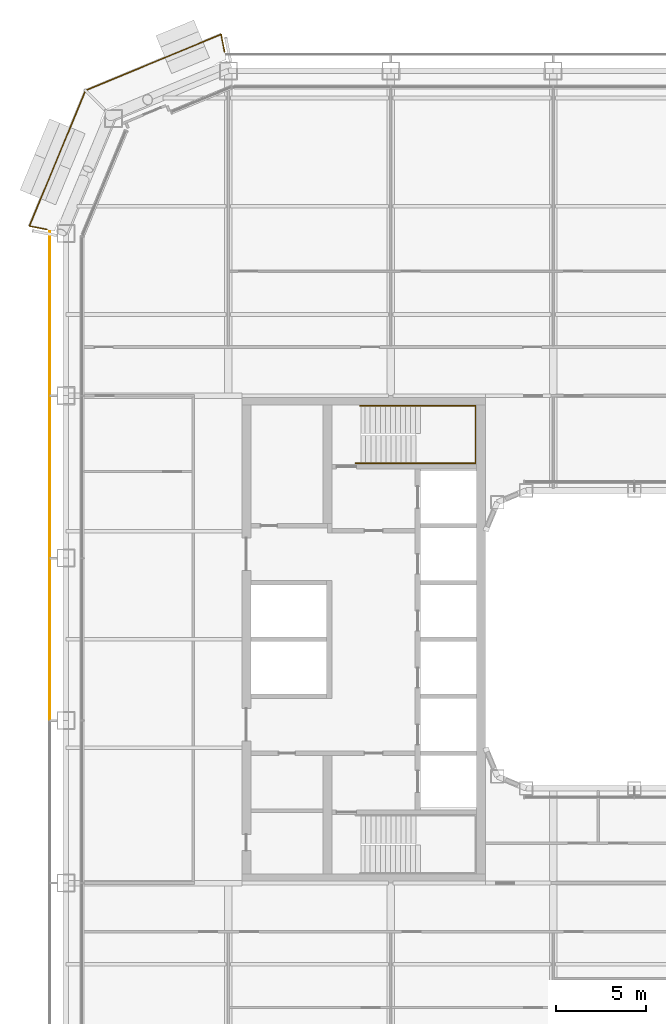
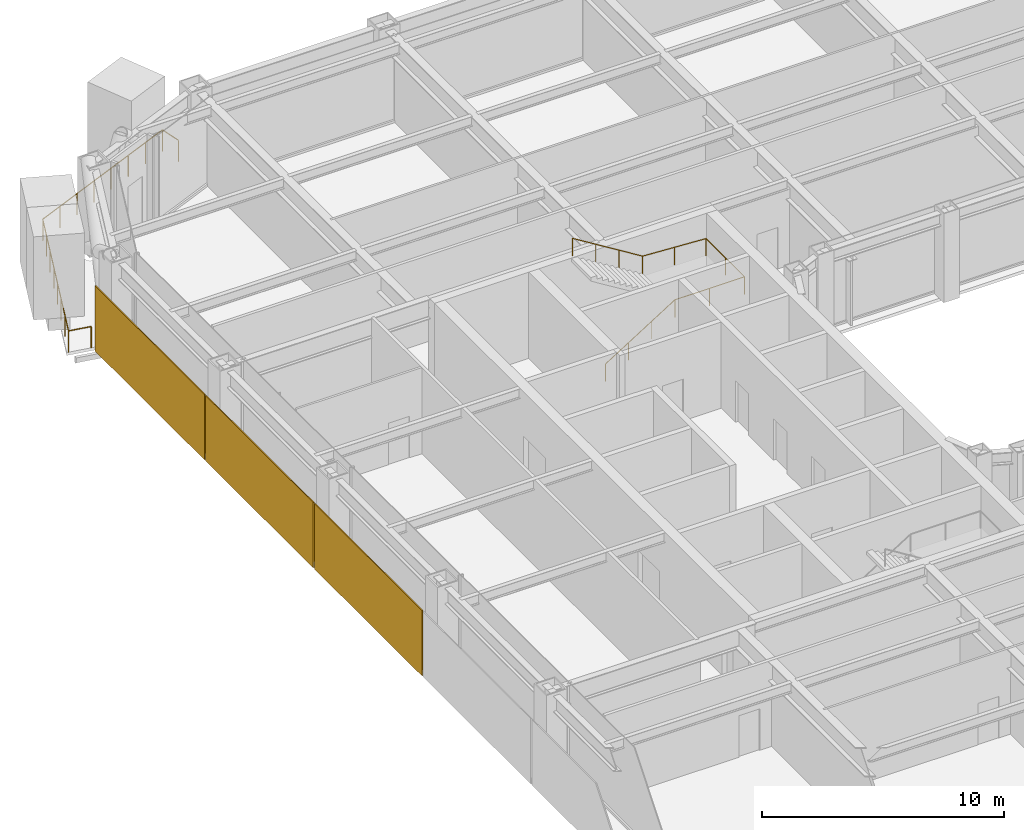
# One storey, part 26 of 29: 3 coverings, 2 railings.
"""IFC4 building model written with IfcOpenShell, lengths in metres."""

from ifc_helpers import new_model, si_unit, direction, frame, origin, origin_2d, place, context, subcontext, project, spatial, rectangle, circle, extrude, material, layer, layer_set, type_object, element, save


model = new_model("IFC4")

# Units and contexts
model_context = context("Model", 3, precision=1e-05, world=origin(), true_north=direction((0.0, 1.0)))
body_context = subcontext(model_context, "Body", "Model", "MODEL_VIEW")
ifc_project = project(units=[si_unit("LENGTHUNIT", "METRE"), si_unit("AREAUNIT", "SQUARE_METRE"), si_unit("VOLUMEUNIT", "CUBIC_METRE"), si_unit("PLANEANGLEUNIT", "RADIAN"), si_unit("MASSUNIT", "GRAM", prefix="KILO")], contexts=[model_context])

# Site, building, storey
site_placement = place(None, origin())
site = spatial("IfcSite", under=ifc_project, at=site_placement, CompositionType="ELEMENT")
building_placement = place(site_placement, origin())
building = spatial("IfcBuilding", under=site, at=building_placement, Name="Siwar Civic Tower", CompositionType="ELEMENT")
storey_placement = place(building_placement, frame((0.0, 0.0, 67.199951171875)))
storey = spatial("IfcBuildingStorey", under=building, at=storey_placement, Name="L14", CompositionType="ELEMENT", Elevation=67.199951171875)

# Railings
ifc_material_1 = material(Name="Stainless steel", Category="steel")
railing_type_1 = type_object("IfcRailingType", Name="CORE-STAIR-HANDRAIL", PredefinedType="HANDRAIL", material=ifc_material_1)
railing_1_placement = place(storey_placement, frame((-15.449951171875, 9.758056640625, 0.173095703125)))
element("IfcRailing", 1, at=railing_1_placement, inside=storey, type_object=railing_type_1, Name="Stair handrail ST1", PredefinedType="HANDRAIL", context=body_context, shape_type="SweptSolid", body=[
    extrude(circle(Radius=0.02001953125, at=origin_2d()), frame((0.0, 0.0, 0.8798828125), z_axis=(0.847063342986, 0.0, 0.531491950051), x_axis=(0.0, 1.0, 0.0)), (0.0, 0.0, 1.0), 3.90771484375),
    extrude(circle(Radius=0.02001953125, at=origin_2d()), frame((3.31005859375, 0.0, 2.956787109375), z_axis=(1.0, 0.0, 0.0), x_axis=(0.0, 1.0, 0.0)), (0.0, 0.0, 1.0), 3.331787109375),
    extrude(circle(Radius=0.02001953125, at=origin_2d()), frame((6.641845703125, 0.0, 2.956787109375), z_axis=(0.0, 1.0, 0.0), x_axis=(-1.0, 0.0, 0.0)), (0.0, 0.0, 1.0), 3.183837890625),
    extrude(circle(Radius=0.02001953125, at=origin_2d()), frame((6.641845703125, 3.183837890625, 2.956787109375), z_axis=(-0.99837434197, 0.0, 0.056997134106), x_axis=(0.0, -1.0, 0.0)), (0.0, 0.0, 1.0), 3.036865234375),
    extrude(circle(Radius=0.02001953125, at=origin_2d()), frame((3.60986328125, 3.183837890625, 3.1298828125), z_axis=(-0.850606129759, 0.0, 0.525803396734), x_axis=(0.0, -1.0, 0.0)), (0.0, 0.0, 1.0), 3.949951171875),
    extrude(circle(Radius=0.02001953125, at=origin_2d()), origin(), (0.0, 0.0, 1.0), 0.85986328125),
    extrude(circle(Radius=0.02001953125, at=origin_2d()), frame((1.103271484375, 0.0, 0.6923828125)), (0.0, 0.0, 1.0), 0.85986328125),
    extrude(circle(Radius=0.02001953125, at=origin_2d()), frame((2.206787109375, 0.0, 1.384521484375)), (0.0, 0.0, 1.0), 0.85986328125),
    extrude(circle(Radius=0.02001953125, at=origin_2d()), frame((3.31005859375, 0.0, 2.076904296875)), (0.0, 0.0, 1.0), 0.85986328125),
    extrude(circle(Radius=0.02001953125, at=origin_2d()), frame((4.97607421875, 0.0, 2.076904296875)), (0.0, 0.0, 1.0), 0.85986328125),
    extrude(circle(Radius=0.02001953125, at=origin_2d()), frame((6.641845703125, 0.0, 2.076904296875)), (0.0, 0.0, 1.0), 0.85986328125),
    extrude(circle(Radius=0.02001953125, at=origin_2d()), frame((6.641845703125, 1.591796875, 2.076904296875)), (0.0, 0.0, 1.0), 0.85986328125),
    extrude(circle(Radius=0.02001953125, at=origin_2d()), frame((6.641845703125, 3.183837890625, 2.076904296875)), (0.0, 0.0, 1.0), 0.85986328125),
    extrude(circle(Radius=0.02001953125, at=origin_2d()), frame((5.1259765625, 3.183837890625, 2.16357421875)), (0.0, 0.0, 1.0), 0.85986328125),
    extrude(circle(Radius=0.02001953125, at=origin_2d()), frame((3.60986328125, 3.183837890625, 2.25)), (0.0, 0.0, 1.0), 0.85986328125),
    extrude(circle(Radius=0.02001953125, at=origin_2d()), frame((2.489990234375, 3.183837890625, 2.9423828125)), (0.0, 0.0, 1.0), 0.85986328125),
    extrude(circle(Radius=0.02001953125, at=origin_2d()), frame((1.369873046875, 3.183837890625, 3.634521484375)), (0.0, 0.0, 1.0), 0.85986328125),
    extrude(circle(Radius=0.02001953125, at=origin_2d()), frame((0.25, 3.183837890625, 4.326904296875)), (0.0, 0.0, 1.0), 0.85986328125),
])
ifc_material_2 = material(Name="Stainless steel 316", Category="steel")
railing_type_2 = type_object("IfcRailingType", Name="ENV-GUARD", PredefinedType="GUARDRAIL", material=ifc_material_2)
railing_2_placement = place(storey_placement, frame((-22.708251953125, 32.547119140625, 0.0)))
element("IfcRailing", 2, at=railing_2_placement, inside=storey, type_object=railing_type_2, Name="Balcony guard NW", PredefinedType="GUARDRAIL", context=body_context, shape_type="SweptSolid", body=[
    extrude(circle(Radius=0.02392578125, at=origin_2d()), frame((0.0, 0.0, 1.076171875), z_axis=(-0.195123592472, 0.980778661911, 0.0), x_axis=(-0.980778661911, -0.195123592472, 0.0)), (0.0, 0.0, 1.0), 0.993408203125),
    extrude(circle(Radius=0.02392578125, at=origin_2d()), frame((-0.19384765625, 0.974365234375, 1.076171875), z_axis=(-0.924089256518, -0.382176720888, 0.0), x_axis=(0.382176720888, -0.924089256518, 0.0)), (0.0, 0.0, 1.0), 8.129638671875),
    extrude(circle(Radius=0.02392578125, at=origin_2d()), frame((-7.706298828125, -2.132568359375, 1.076171875), z_axis=(-0.382176720888, -0.924089256518, 0.0), x_axis=(0.924089256518, -0.382176720888, 0.0)), (0.0, 0.0, 1.0), 8.129638671875),
    extrude(circle(Radius=0.02392578125, at=origin_2d()), frame((-10.813232421875, -9.64501953125, 1.076171875), z_axis=(0.980778661911, -0.195123592472, 0.0), x_axis=(0.195123592472, 0.980778661911, 0.0)), (0.0, 0.0, 1.0), 0.993408203125),
    extrude(circle(Radius=0.02099609375, at=origin_2d()), origin(), (0.0, 0.0, 1.0), 1.052001953125),
    extrude(circle(Radius=0.02099609375, at=origin_2d()), frame((-0.19384765625, 0.974365234375, 0.0)), (0.0, 0.0, 1.0), 1.052001953125),
    extrude(circle(Radius=0.02099609375, at=origin_2d()), frame((-1.26708984375, 0.530517578125, 0.0)), (0.0, 0.0, 1.0), 1.052001953125),
    extrude(circle(Radius=0.02099609375, at=origin_2d()), frame((-2.34033203125, 0.086669921875, 0.0)), (0.0, 0.0, 1.0), 1.052001953125),
    extrude(circle(Radius=0.02099609375, at=origin_2d()), frame((-3.41357421875, -0.357177734375, 0.0)), (0.0, 0.0, 1.0), 1.052001953125),
    extrude(circle(Radius=0.02099609375, at=origin_2d()), frame((-4.486572265625, -0.801025390625, 0.0)), (0.0, 0.0, 1.0), 1.052001953125),
    extrude(circle(Radius=0.02099609375, at=origin_2d()), frame((-5.559814453125, -1.244873046875, 0.0)), (0.0, 0.0, 1.0), 1.052001953125),
    extrude(circle(Radius=0.02099609375, at=origin_2d()), frame((-6.633056640625, -1.688720703125, 0.0)), (0.0, 0.0, 1.0), 1.052001953125),
    extrude(circle(Radius=0.02099609375, at=origin_2d()), frame((-7.706298828125, -2.132568359375, 0.0)), (0.0, 0.0, 1.0), 1.052001953125),
    extrude(circle(Radius=0.02099609375, at=origin_2d()), frame((-8.150146484375, -3.205810546875, 0.0)), (0.0, 0.0, 1.0), 1.052001953125),
    extrude(circle(Radius=0.02099609375, at=origin_2d()), frame((-8.593994140625, -4.279052734375, 0.0)), (0.0, 0.0, 1.0), 1.052001953125),
    extrude(circle(Radius=0.02099609375, at=origin_2d()), frame((-9.037841796875, -5.352294921875, 0.0)), (0.0, 0.0, 1.0), 1.052001953125),
    extrude(circle(Radius=0.02099609375, at=origin_2d()), frame((-9.481689453125, -6.42529296875, 0.0)), (0.0, 0.0, 1.0), 1.052001953125),
    extrude(circle(Radius=0.02099609375, at=origin_2d()), frame((-9.925537109375, -7.49853515625, 0.0)), (0.0, 0.0, 1.0), 1.052001953125),
    extrude(circle(Radius=0.02099609375, at=origin_2d()), frame((-10.369384765625, -8.57177734375, 0.0)), (0.0, 0.0, 1.0), 1.052001953125),
    extrude(circle(Radius=0.02099609375, at=origin_2d()), frame((-10.813232421875, -9.64501953125, 0.0)), (0.0, 0.0, 1.0), 1.052001953125),
    extrude(circle(Radius=0.02099609375, at=origin_2d()), frame((-9.8388671875, -9.8388671875, 0.0)), (0.0, 0.0, 1.0), 1.052001953125),
])

# Coverings
ifc_material_3 = material(Name="Perforated aluminium cassette, pale metal", Category="aluminium")
ifc_layer = layer(ifc_material_3, 0.050048828125)
ifc_layer_set = layer_set([ifc_layer], Name="Perforated aluminium cassette, pale metal")
covering_type = type_object("IfcCoveringType", Name="ENV-OUTER SKIN OS-3", PredefinedType="CLADDING", material=ifc_layer_set)
covering_placement = place(storey_placement, frame((-32.39990234375, 18.07958984375, -0.14990234375), z_axis=(0.0, 0.0, 1.0), x_axis=(0.0, -1.0, 0.0)))
element("IfcCovering", 3, at=covering_placement, inside=storey, type_object=covering_type, Name="OUTER SKIN OS-3 W 1", PredefinedType="CLADDING", context=body_context, shape_type="SweptSolid", body=[
    extrude(rectangle(XDim=9.05908203125, YDim=0.050048828125, at=origin_2d()), origin(), (0.0, 0.0, 1.0), 3.300048828125),
])
for number, where, z_axis, x_axis, name in (
    (4, (-32.39990234375, 9.0, -0.14990234375), (0.0, 0.0, 1.0), (0.0, -1.0, 0.0), "OUTER SKIN OS-3 W 2"),
    (5, (-32.39990234375, 0.0, -0.14990234375), (0.0, 0.0, 1.0), (0.0, -1.0, 0.0), "OUTER SKIN OS-3 W 3"),
):
    element("IfcCovering", number, at=place(storey_placement, frame(where, z_axis=z_axis, x_axis=x_axis)), inside=storey, type_object=covering_type, Name=name, PredefinedType="CLADDING", context=body_context, shape_type="SweptSolid", body=[
        extrude(rectangle(XDim=8.89990234375, YDim=0.050048828125, at=origin_2d()), origin(), (0.0, 0.0, 1.0), 3.300048828125),
    ])

save(model, "model.ifc")
